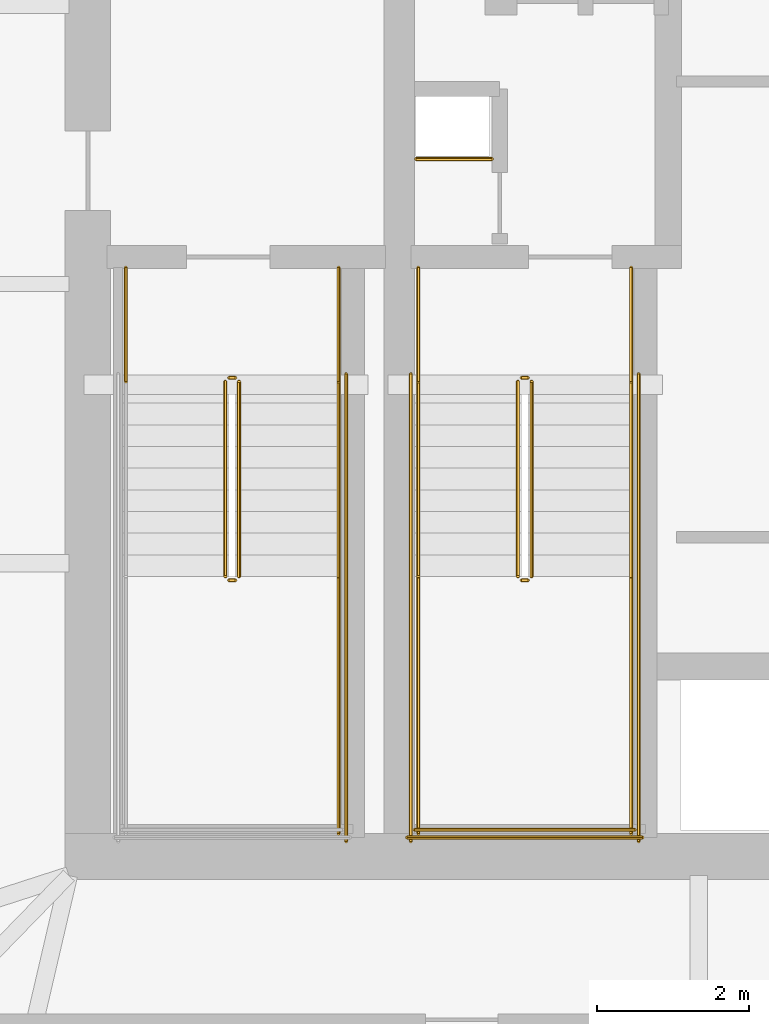
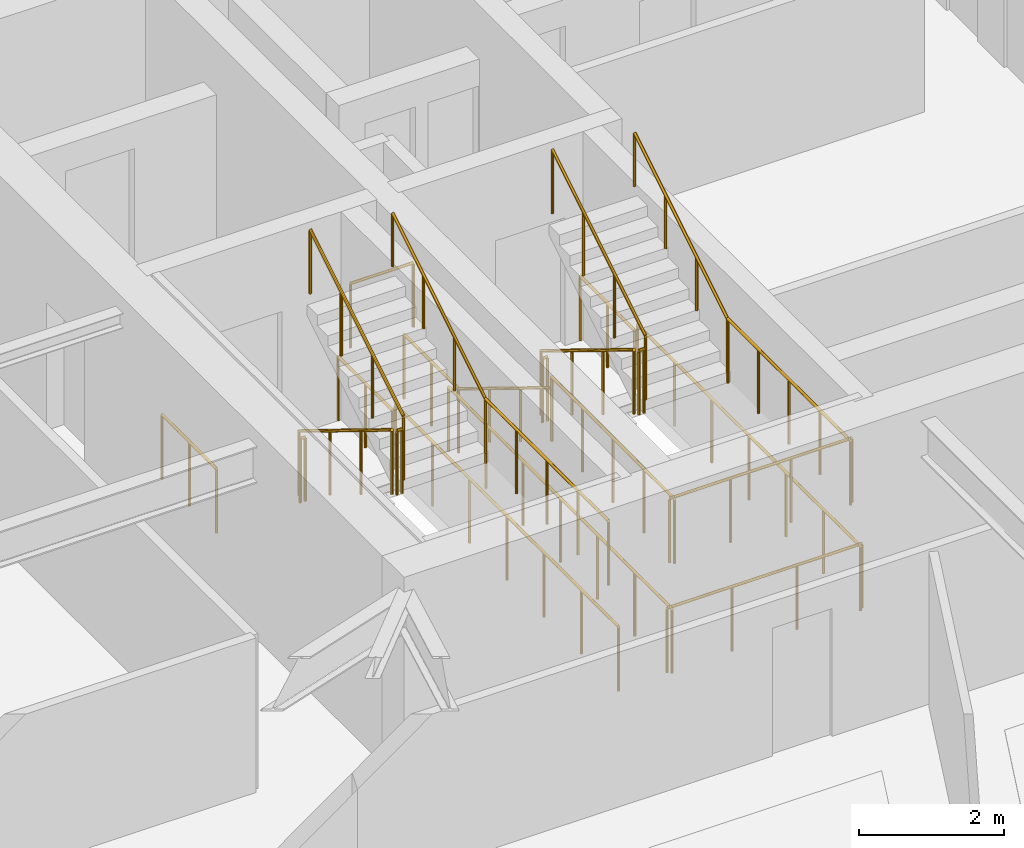
# One storey, part 25 of 27: 24 railings.
"""IFC4 building model written with IfcOpenShell, lengths in metres."""

from ifc_helpers import new_model, si_unit, direction, frame, origin, origin_2d, place, context, subcontext, project, spatial, circle, extrude, material, type_object, element, save


model = new_model("IFC4")

# Units and contexts
model_context = context("Model", 3, precision=1e-05, world=origin(), true_north=direction((0.0, 1.0)))
body_context = subcontext(model_context, "Body", "Model", "MODEL_VIEW")
ifc_project = project(units=[si_unit("LENGTHUNIT", "METRE"), si_unit("AREAUNIT", "SQUARE_METRE"), si_unit("VOLUMEUNIT", "CUBIC_METRE"), si_unit("PLANEANGLEUNIT", "RADIAN"), si_unit("MASSUNIT", "GRAM", prefix="KILO")], contexts=[model_context])

# Site, building, storey
site_placement = place(None, origin())
site = spatial("IfcSite", under=ifc_project, at=site_placement, CompositionType="ELEMENT")
building_placement = place(site_placement, origin())
building = spatial("IfcBuilding", under=site, at=building_placement, Name="Bramvorn Convention Spire", CompositionType="ELEMENT")
storey_placement = place(building_placement, frame((0.0, 0.0, 72.89990234375)))
storey = spatial("IfcBuildingStorey", under=building, at=storey_placement, Name="L16", CompositionType="ELEMENT", Elevation=72.89990234375)

# Railings
ifc_material_1 = material(Name="Painted Steel Balustrade & Guardrail", Category="steel")
railing_type_1 = type_object("IfcRailingType", Name="RL-STAIR-GUARD-1100", PredefinedType="GUARDRAIL", material=ifc_material_1)
railing_1_placement = place(storey_placement, frame((28.81005859375, 25.050048828125, 0.175048828125)))
element("IfcRailing", 1, at=railing_1_placement, inside=storey, type_object=railing_type_1, Name="L16 ST1 stair guard 1", PredefinedType="GUARDRAIL", context=body_context, shape_type="SweptSolid", body=[
    extrude(circle(Radius=0.02392578125, at=origin_2d()), frame((0.0, 0.0, 1.076171875), z_axis=(0.0, -0.852173129349, 0.523259933127), x_axis=(1.0, 0.0, 0.0)), (0.0, 0.0, 1.0), 3.009765625),
    extrude(circle(Radius=0.02099609375, at=origin_2d()), origin(), (0.0, 0.0, 1.0), 1.052001953125),
    extrude(circle(Radius=0.02099609375, at=origin_2d()), frame((0.0, -0.85498046875, 0.52490234375)), (0.0, 0.0, 1.0), 1.052001953125),
    extrude(circle(Radius=0.02099609375, at=origin_2d()), frame((0.0, -1.7099609375, 1.050048828125)), (0.0, 0.0, 1.0), 1.052001953125),
    extrude(circle(Radius=0.02099609375, at=origin_2d()), frame((0.0, -2.56494140625, 1.574951171875)), (0.0, 0.0, 1.0), 1.052001953125),
])
railing_2_placement = place(storey_placement, frame((28.860107421875, 22.43505859375, 1.75)))
element("IfcRailing", 2, at=railing_2_placement, inside=storey, type_object=railing_type_1, Name="L16 ST1 stair guard 2", PredefinedType="GUARDRAIL", context=body_context, shape_type="SweptSolid", body=[
    extrude(circle(Radius=0.02392578125, at=origin_2d()), frame((0.0, 0.0, 1.076171875), z_axis=(1.0, 0.0, 0.0), x_axis=(0.0, 1.0, 0.0)), (0.0, 0.0, 1.0), 0.079833984375),
    extrude(circle(Radius=0.02099609375, at=origin_2d()), origin(), (0.0, 0.0, 1.0), 1.052001953125),
    extrude(circle(Radius=0.02099609375, at=origin_2d()), frame((0.079833984375, 0.0, 0.0)), (0.0, 0.0, 1.0), 1.052001953125),
])
railing_3_placement = place(storey_placement, frame((30.300048828125, 22.485107421875, 1.75)))
element("IfcRailing", 3, at=railing_3_placement, inside=storey, type_object=railing_type_1, Name="L16 ST1 stair guard 4", PredefinedType="GUARDRAIL", context=body_context, shape_type="SweptSolid", body=[
    extrude(circle(Radius=0.02392578125, at=origin_2d()), frame((0.0, 0.0, 1.076171875), z_axis=(0.0, -1.0, 0.0), x_axis=(1.0, 0.0, 0.0)), (0.0, 0.0, 1.0), 3.385009765625),
    extrude(circle(Radius=0.02099609375, at=origin_2d()), origin(), (0.0, 0.0, 1.0), 1.052001953125),
    extrude(circle(Radius=0.02099609375, at=origin_2d()), frame((0.0, -0.84619140625, 0.0)), (0.0, 0.0, 1.0), 1.052001953125),
    extrude(circle(Radius=0.02099609375, at=origin_2d()), frame((0.0, -1.6923828125, 0.0)), (0.0, 0.0, 1.0), 1.052001953125),
    extrude(circle(Radius=0.02099609375, at=origin_2d()), frame((0.0, -2.538818359375, 0.0)), (0.0, 0.0, 1.0), 1.052001953125),
    extrude(circle(Radius=0.02099609375, at=origin_2d()), frame((0.0, -3.385009765625, 0.0)), (0.0, 0.0, 1.0), 1.052001953125),
])
railing_4_placement = place(storey_placement, frame((28.989990234375, 22.485107421875, 1.925048828125)))
element("IfcRailing", 4, at=railing_4_placement, inside=storey, type_object=railing_type_1, Name="L16 ST1 stair guard 6", PredefinedType="GUARDRAIL", context=body_context, shape_type="SweptSolid", body=[
    extrude(circle(Radius=0.02392578125, at=origin_2d()), frame((0.0, 0.0, 1.076171875), z_axis=(0.0, 0.852173129349, 0.523259933127), x_axis=(-1.0, 0.0, 0.0)), (0.0, 0.0, 1.0), 3.009765625),
    extrude(circle(Radius=0.02099609375, at=origin_2d()), origin(), (0.0, 0.0, 1.0), 1.052001953125),
    extrude(circle(Radius=0.02099609375, at=origin_2d()), frame((0.0, 0.85498046875, 0.52490234375)), (0.0, 0.0, 1.0), 1.052001953125),
    extrude(circle(Radius=0.02099609375, at=origin_2d()), frame((0.0, 1.7099609375, 1.050048828125)), (0.0, 0.0, 1.0), 1.052001953125),
    extrude(circle(Radius=0.02099609375, at=origin_2d()), frame((0.0, 2.56494140625, 1.574951171875)), (0.0, 0.0, 1.0), 1.052001953125),
])
railing_5_placement = place(storey_placement, frame((28.860107421875, 25.10009765625, 0.0)))
element("IfcRailing", 5, at=railing_5_placement, inside=storey, type_object=railing_type_1, Name="L16 ST1 stair guard 7", PredefinedType="GUARDRAIL", context=body_context, shape_type="SweptSolid", body=[
    extrude(circle(Radius=0.02392578125, at=origin_2d()), frame((0.0, 0.0, 1.076171875), z_axis=(1.0, 0.0, 0.0), x_axis=(0.0, 1.0, 0.0)), (0.0, 0.0, 1.0), 0.079833984375),
    extrude(circle(Radius=0.02099609375, at=origin_2d()), origin(), (0.0, 0.0, 1.0), 1.052001953125),
    extrude(circle(Radius=0.02099609375, at=origin_2d()), frame((0.079833984375, 0.0, 0.0)), (0.0, 0.0, 1.0), 1.052001953125),
])
for number, where, name in (
    (6, (27.5, 26.550048828125, 0.0), "L16 ST1 stair guard 8"),
    (7, (30.300048828125, 26.550048828125, 0.0), "L16 ST1 stair guard 9"),
):
    element("IfcRailing", number, at=place(storey_placement, frame(where)), inside=storey, type_object=railing_type_1, Name=name, PredefinedType="GUARDRAIL", context=body_context, shape_type="SweptSolid", body=[
        extrude(circle(Radius=0.02392578125, at=origin_2d()), frame((0.0, 0.0, 1.076171875), z_axis=(0.0, -1.0, 0.0), x_axis=(1.0, 0.0, 0.0)), (0.0, 0.0, 1.0), 1.5),
        extrude(circle(Radius=0.02099609375, at=origin_2d()), origin(), (0.0, 0.0, 1.0), 1.052001953125),
        extrude(circle(Radius=0.02099609375, at=origin_2d()), frame((0.0, -0.75, 0.0)), (0.0, 0.0, 1.0), 1.052001953125),
        extrude(circle(Radius=0.02099609375, at=origin_2d()), frame((0.0, -1.5, 0.0)), (0.0, 0.0, 1.0), 1.052001953125),
    ])
railing_6_placement = place(storey_placement, frame((30.39990234375, 25.14990234375, 0.0)))
element("IfcRailing", 8, at=railing_6_placement, inside=storey, type_object=railing_type_1, Name="L16 ST1 stair guard 11", PredefinedType="GUARDRAIL", context=body_context, shape_type="SweptSolid", body=[
    extrude(circle(Radius=0.02392578125, at=origin_2d()), frame((0.0, 0.0, 1.076171875), z_axis=(0.0, -1.0, 0.0), x_axis=(1.0, 0.0, 0.0)), (0.0, 0.0, 1.0), 6.14990234375),
    extrude(circle(Radius=0.02099609375, at=origin_2d()), origin(), (0.0, 0.0, 1.0), 1.052001953125),
    extrude(circle(Radius=0.02099609375, at=origin_2d()), frame((0.0, -1.02490234375, 0.0)), (0.0, 0.0, 1.0), 1.052001953125),
    extrude(circle(Radius=0.02099609375, at=origin_2d()), frame((0.0, -2.050048828125, 0.0)), (0.0, 0.0, 1.0), 1.052001953125),
    extrude(circle(Radius=0.02099609375, at=origin_2d()), frame((0.0, -3.074951171875, 0.0)), (0.0, 0.0, 1.0), 1.052001953125),
    extrude(circle(Radius=0.02099609375, at=origin_2d()), frame((0.0, -4.099853515625, 0.0)), (0.0, 0.0, 1.0), 1.052001953125),
    extrude(circle(Radius=0.02099609375, at=origin_2d()), frame((0.0, -5.125, 0.0)), (0.0, 0.0, 1.0), 1.052001953125),
    extrude(circle(Radius=0.02099609375, at=origin_2d()), frame((0.0, -6.14990234375, 0.0)), (0.0, 0.0, 1.0), 1.052001953125),
])
railing_7_placement = place(storey_placement, frame((32.659912109375, 25.050048828125, 0.175048828125)))
element("IfcRailing", 9, at=railing_7_placement, inside=storey, type_object=railing_type_1, Name="L16 ST3 stair guard 1", PredefinedType="GUARDRAIL", context=body_context, shape_type="SweptSolid", body=[
    extrude(circle(Radius=0.02392578125, at=origin_2d()), frame((0.0, 0.0, 1.076171875), z_axis=(0.0, -0.852173129349, 0.523259933127), x_axis=(1.0, 0.0, 0.0)), (0.0, 0.0, 1.0), 3.009765625),
    extrude(circle(Radius=0.02099609375, at=origin_2d()), origin(), (0.0, 0.0, 1.0), 1.052001953125),
    extrude(circle(Radius=0.02099609375, at=origin_2d()), frame((0.0, -0.85498046875, 0.52490234375)), (0.0, 0.0, 1.0), 1.052001953125),
    extrude(circle(Radius=0.02099609375, at=origin_2d()), frame((0.0, -1.7099609375, 1.050048828125)), (0.0, 0.0, 1.0), 1.052001953125),
    extrude(circle(Radius=0.02099609375, at=origin_2d()), frame((0.0, -2.56494140625, 1.574951171875)), (0.0, 0.0, 1.0), 1.052001953125),
])
railing_8_placement = place(storey_placement, frame((32.7099609375, 22.43505859375, 1.75)))
element("IfcRailing", 10, at=railing_8_placement, inside=storey, type_object=railing_type_1, Name="L16 ST3 stair guard 2", PredefinedType="GUARDRAIL", context=body_context, shape_type="SweptSolid", body=[
    extrude(circle(Radius=0.02392578125, at=origin_2d()), frame((0.0, 0.0, 1.076171875), z_axis=(1.0, 0.0, 0.0), x_axis=(0.0, 1.0, 0.0)), (0.0, 0.0, 1.0), 0.080078125),
    extrude(circle(Radius=0.02099609375, at=origin_2d()), origin(), (0.0, 0.0, 1.0), 1.052001953125),
    extrude(circle(Radius=0.02099609375, at=origin_2d()), frame((0.080078125, 0.0, 0.0)), (0.0, 0.0, 1.0), 1.052001953125),
])
for number, where, name in (
    (11, (31.35009765625, 22.485107421875, 1.75), "L16 ST3 stair guard 3"),
    (12, (34.14990234375, 22.485107421875, 1.75), "L16 ST3 stair guard 4"),
):
    element("IfcRailing", number, at=place(storey_placement, frame(where)), inside=storey, type_object=railing_type_1, Name=name, PredefinedType="GUARDRAIL", context=body_context, shape_type="SweptSolid", body=[
        extrude(circle(Radius=0.02392578125, at=origin_2d()), frame((0.0, 0.0, 1.076171875), z_axis=(0.0, -1.0, 0.0), x_axis=(1.0, 0.0, 0.0)), (0.0, 0.0, 1.0), 3.385009765625),
        extrude(circle(Radius=0.02099609375, at=origin_2d()), origin(), (0.0, 0.0, 1.0), 1.052001953125),
        extrude(circle(Radius=0.02099609375, at=origin_2d()), frame((0.0, -0.84619140625, 0.0)), (0.0, 0.0, 1.0), 1.052001953125),
        extrude(circle(Radius=0.02099609375, at=origin_2d()), frame((0.0, -1.6923828125, 0.0)), (0.0, 0.0, 1.0), 1.052001953125),
        extrude(circle(Radius=0.02099609375, at=origin_2d()), frame((0.0, -2.538818359375, 0.0)), (0.0, 0.0, 1.0), 1.052001953125),
        extrude(circle(Radius=0.02099609375, at=origin_2d()), frame((0.0, -3.385009765625, 0.0)), (0.0, 0.0, 1.0), 1.052001953125),
    ])
railing_9_placement = place(storey_placement, frame((31.300048828125, 19.14990234375, 1.75)))
element("IfcRailing", 13, at=railing_9_placement, inside=storey, type_object=railing_type_1, Name="L16 ST3 stair guard 5", PredefinedType="GUARDRAIL", context=body_context, shape_type="SweptSolid", body=[
    extrude(circle(Radius=0.02392578125, at=origin_2d()), frame((0.0, 0.0, 1.076171875), z_axis=(1.0, 0.0, 0.0), x_axis=(0.0, 1.0, 0.0)), (0.0, 0.0, 1.0), 2.89990234375),
    extrude(circle(Radius=0.02099609375, at=origin_2d()), origin(), (0.0, 0.0, 1.0), 1.052001953125),
    extrude(circle(Radius=0.02099609375, at=origin_2d()), frame((0.966552734375, 0.0, 0.0)), (0.0, 0.0, 1.0), 1.052001953125),
    extrude(circle(Radius=0.02099609375, at=origin_2d()), frame((1.933349609375, 0.0, 0.0)), (0.0, 0.0, 1.0), 1.052001953125),
    extrude(circle(Radius=0.02099609375, at=origin_2d()), frame((2.89990234375, 0.0, 0.0)), (0.0, 0.0, 1.0), 1.052001953125),
])
railing_10_placement = place(storey_placement, frame((32.840087890625, 22.485107421875, 1.925048828125)))
element("IfcRailing", 14, at=railing_10_placement, inside=storey, type_object=railing_type_1, Name="L16 ST3 stair guard 6", PredefinedType="GUARDRAIL", context=body_context, shape_type="SweptSolid", body=[
    extrude(circle(Radius=0.02392578125, at=origin_2d()), frame((0.0, 0.0, 1.076171875), z_axis=(0.0, 0.852173129349, 0.523259933127), x_axis=(-1.0, 0.0, 0.0)), (0.0, 0.0, 1.0), 3.009765625),
    extrude(circle(Radius=0.02099609375, at=origin_2d()), origin(), (0.0, 0.0, 1.0), 1.052001953125),
    extrude(circle(Radius=0.02099609375, at=origin_2d()), frame((0.0, 0.85498046875, 0.52490234375)), (0.0, 0.0, 1.0), 1.052001953125),
    extrude(circle(Radius=0.02099609375, at=origin_2d()), frame((0.0, 1.7099609375, 1.050048828125)), (0.0, 0.0, 1.0), 1.052001953125),
    extrude(circle(Radius=0.02099609375, at=origin_2d()), frame((0.0, 2.56494140625, 1.574951171875)), (0.0, 0.0, 1.0), 1.052001953125),
])
railing_11_placement = place(storey_placement, frame((32.7099609375, 25.10009765625, 0.0)))
element("IfcRailing", 15, at=railing_11_placement, inside=storey, type_object=railing_type_1, Name="L16 ST3 stair guard 7", PredefinedType="GUARDRAIL", context=body_context, shape_type="SweptSolid", body=[
    extrude(circle(Radius=0.02392578125, at=origin_2d()), frame((0.0, 0.0, 1.076171875), z_axis=(1.0, 0.0, 0.0), x_axis=(0.0, 1.0, 0.0)), (0.0, 0.0, 1.0), 0.080078125),
    extrude(circle(Radius=0.02099609375, at=origin_2d()), origin(), (0.0, 0.0, 1.0), 1.052001953125),
    extrude(circle(Radius=0.02099609375, at=origin_2d()), frame((0.080078125, 0.0, 0.0)), (0.0, 0.0, 1.0), 1.052001953125),
])
for number, where, name in (
    (16, (31.35009765625, 26.550048828125, 0.0), "L16 ST3 stair guard 8"),
    (17, (34.14990234375, 26.550048828125, 0.0), "L16 ST3 stair guard 9"),
):
    element("IfcRailing", number, at=place(storey_placement, frame(where)), inside=storey, type_object=railing_type_1, Name=name, PredefinedType="GUARDRAIL", context=body_context, shape_type="SweptSolid", body=[
        extrude(circle(Radius=0.02392578125, at=origin_2d()), frame((0.0, 0.0, 1.076171875), z_axis=(0.0, -1.0, 0.0), x_axis=(1.0, 0.0, 0.0)), (0.0, 0.0, 1.0), 1.5),
        extrude(circle(Radius=0.02099609375, at=origin_2d()), origin(), (0.0, 0.0, 1.0), 1.052001953125),
        extrude(circle(Radius=0.02099609375, at=origin_2d()), frame((0.0, -0.75, 0.0)), (0.0, 0.0, 1.0), 1.052001953125),
        extrude(circle(Radius=0.02099609375, at=origin_2d()), frame((0.0, -1.5, 0.0)), (0.0, 0.0, 1.0), 1.052001953125),
    ])
for number, where, name in (
    (18, (31.25, 25.14990234375, 0.0), "L16 ST3 stair guard 10"),
    (19, (34.25, 25.14990234375, 0.0), "L16 ST3 stair guard 11"),
):
    element("IfcRailing", number, at=place(storey_placement, frame(where)), inside=storey, type_object=railing_type_1, Name=name, PredefinedType="GUARDRAIL", context=body_context, shape_type="SweptSolid", body=[
        extrude(circle(Radius=0.02392578125, at=origin_2d()), frame((0.0, 0.0, 1.076171875), z_axis=(0.0, -1.0, 0.0), x_axis=(1.0, 0.0, 0.0)), (0.0, 0.0, 1.0), 6.14990234375),
        extrude(circle(Radius=0.02099609375, at=origin_2d()), origin(), (0.0, 0.0, 1.0), 1.052001953125),
        extrude(circle(Radius=0.02099609375, at=origin_2d()), frame((0.0, -1.02490234375, 0.0)), (0.0, 0.0, 1.0), 1.052001953125),
        extrude(circle(Radius=0.02099609375, at=origin_2d()), frame((0.0, -2.050048828125, 0.0)), (0.0, 0.0, 1.0), 1.052001953125),
        extrude(circle(Radius=0.02099609375, at=origin_2d()), frame((0.0, -3.074951171875, 0.0)), (0.0, 0.0, 1.0), 1.052001953125),
        extrude(circle(Radius=0.02099609375, at=origin_2d()), frame((0.0, -4.099853515625, 0.0)), (0.0, 0.0, 1.0), 1.052001953125),
        extrude(circle(Radius=0.02099609375, at=origin_2d()), frame((0.0, -5.125, 0.0)), (0.0, 0.0, 1.0), 1.052001953125),
        extrude(circle(Radius=0.02099609375, at=origin_2d()), frame((0.0, -6.14990234375, 0.0)), (0.0, 0.0, 1.0), 1.052001953125),
    ])
railing_12_placement = place(storey_placement, frame((31.199951171875, 19.050048828125, 0.0)))
element("IfcRailing", 20, at=railing_12_placement, inside=storey, type_object=railing_type_1, Name="L16 ST3 stair guard 12", PredefinedType="GUARDRAIL", context=body_context, shape_type="SweptSolid", body=[
    extrude(circle(Radius=0.02392578125, at=origin_2d()), frame((0.0, 0.0, 1.076171875), z_axis=(1.0, 0.0, 0.0), x_axis=(0.0, 1.0, 0.0)), (0.0, 0.0, 1.0), 3.10009765625),
    extrude(circle(Radius=0.02099609375, at=origin_2d()), origin(), (0.0, 0.0, 1.0), 1.052001953125),
    extrude(circle(Radius=0.02099609375, at=origin_2d()), frame((1.033447265625, 0.0, 0.0)), (0.0, 0.0, 1.0), 1.052001953125),
    extrude(circle(Radius=0.02099609375, at=origin_2d()), frame((2.066650390625, 0.0, 0.0)), (0.0, 0.0, 1.0), 1.052001953125),
    extrude(circle(Radius=0.02099609375, at=origin_2d()), frame((3.10009765625, 0.0, 0.0)), (0.0, 0.0, 1.0), 1.052001953125),
])
railing_13_placement = place(storey_placement, frame((31.320068359375, 27.97998046875, 0.0)))
element("IfcRailing", 21, at=railing_13_placement, inside=storey, type_object=railing_type_1, Name="L16 Telecom riser shaft opening safety guardrail", PredefinedType="GUARDRAIL", context=body_context, shape_type="SweptSolid", body=[
    extrude(circle(Radius=0.02392578125, at=origin_2d()), frame((0.0, 0.0, 1.076171875), z_axis=(1.0, 0.0, 0.0), x_axis=(0.0, 1.0, 0.0)), (0.0, 0.0, 1.0), 1.0),
    extrude(circle(Radius=0.02099609375, at=origin_2d()), origin(), (0.0, 0.0, 1.0), 1.052001953125),
    extrude(circle(Radius=0.02099609375, at=origin_2d()), frame((1.0, 0.0, 0.0)), (0.0, 0.0, 1.0), 1.052001953125),
])
ifc_material_2 = material(Name="Brushed Bronze Tubular Handrail", Category="aluminium")
railing_type_2 = type_object("IfcRailingType", Name="RL-STAIR-HR-920", PredefinedType="HANDRAIL", material=ifc_material_2)
railing_14_placement = place(storey_placement, frame((30.300048828125, 22.485107421875, 1.925048828125)))
element("IfcRailing", 22, at=railing_14_placement, inside=storey, type_object=railing_type_2, Name="L16 ST1 stair handrail 2", PredefinedType="HANDRAIL", context=body_context, shape_type="SweptSolid", body=[
    extrude(circle(Radius=0.02392578125, at=origin_2d()), frame((0.0, 0.0, 0.89599609375), z_axis=(0.0, 0.852173129349, 0.523259933127), x_axis=(-1.0, 0.0, 0.0)), (0.0, 0.0, 1.0), 3.009765625),
    extrude(circle(Radius=0.02099609375, at=origin_2d()), origin(), (0.0, 0.0, 1.0), 0.871826171875),
    extrude(circle(Radius=0.02099609375, at=origin_2d()), frame((0.0, 0.85498046875, 0.52490234375)), (0.0, 0.0, 1.0), 0.871826171875),
    extrude(circle(Radius=0.02099609375, at=origin_2d()), frame((0.0, 1.7099609375, 1.050048828125)), (0.0, 0.0, 1.0), 0.871826171875),
    extrude(circle(Radius=0.02099609375, at=origin_2d()), frame((0.0, 2.56494140625, 1.574951171875)), (0.0, 0.0, 1.0), 0.871826171875),
])
railing_15_placement = place(storey_placement, frame((31.35009765625, 25.050048828125, 0.175048828125)))
element("IfcRailing", 23, at=railing_15_placement, inside=storey, type_object=railing_type_2, Name="L16 ST3 stair handrail 1", PredefinedType="HANDRAIL", context=body_context, shape_type="SweptSolid", body=[
    extrude(circle(Radius=0.02392578125, at=origin_2d()), frame((0.0, 0.0, 0.89599609375), z_axis=(0.0, -0.852173129349, 0.523259933127), x_axis=(1.0, 0.0, 0.0)), (0.0, 0.0, 1.0), 3.009765625),
    extrude(circle(Radius=0.02099609375, at=origin_2d()), origin(), (0.0, 0.0, 1.0), 0.871826171875),
    extrude(circle(Radius=0.02099609375, at=origin_2d()), frame((0.0, -0.85498046875, 0.52490234375)), (0.0, 0.0, 1.0), 0.871826171875),
    extrude(circle(Radius=0.02099609375, at=origin_2d()), frame((0.0, -1.7099609375, 1.050048828125)), (0.0, 0.0, 1.0), 0.871826171875),
    extrude(circle(Radius=0.02099609375, at=origin_2d()), frame((0.0, -2.56494140625, 1.574951171875)), (0.0, 0.0, 1.0), 0.871826171875),
])
railing_16_placement = place(storey_placement, frame((34.14990234375, 22.485107421875, 1.925048828125)))
element("IfcRailing", 24, at=railing_16_placement, inside=storey, type_object=railing_type_2, Name="L16 ST3 stair handrail 2", PredefinedType="HANDRAIL", context=body_context, shape_type="SweptSolid", body=[
    extrude(circle(Radius=0.02392578125, at=origin_2d()), frame((0.0, 0.0, 0.89599609375), z_axis=(0.0, 0.852173129349, 0.523259933127), x_axis=(-1.0, 0.0, 0.0)), (0.0, 0.0, 1.0), 3.009765625),
    extrude(circle(Radius=0.02099609375, at=origin_2d()), origin(), (0.0, 0.0, 1.0), 0.871826171875),
    extrude(circle(Radius=0.02099609375, at=origin_2d()), frame((0.0, 0.85498046875, 0.52490234375)), (0.0, 0.0, 1.0), 0.871826171875),
    extrude(circle(Radius=0.02099609375, at=origin_2d()), frame((0.0, 1.7099609375, 1.050048828125)), (0.0, 0.0, 1.0), 0.871826171875),
    extrude(circle(Radius=0.02099609375, at=origin_2d()), frame((0.0, 2.56494140625, 1.574951171875)), (0.0, 0.0, 1.0), 0.871826171875),
])

save(model, "model.ifc")
